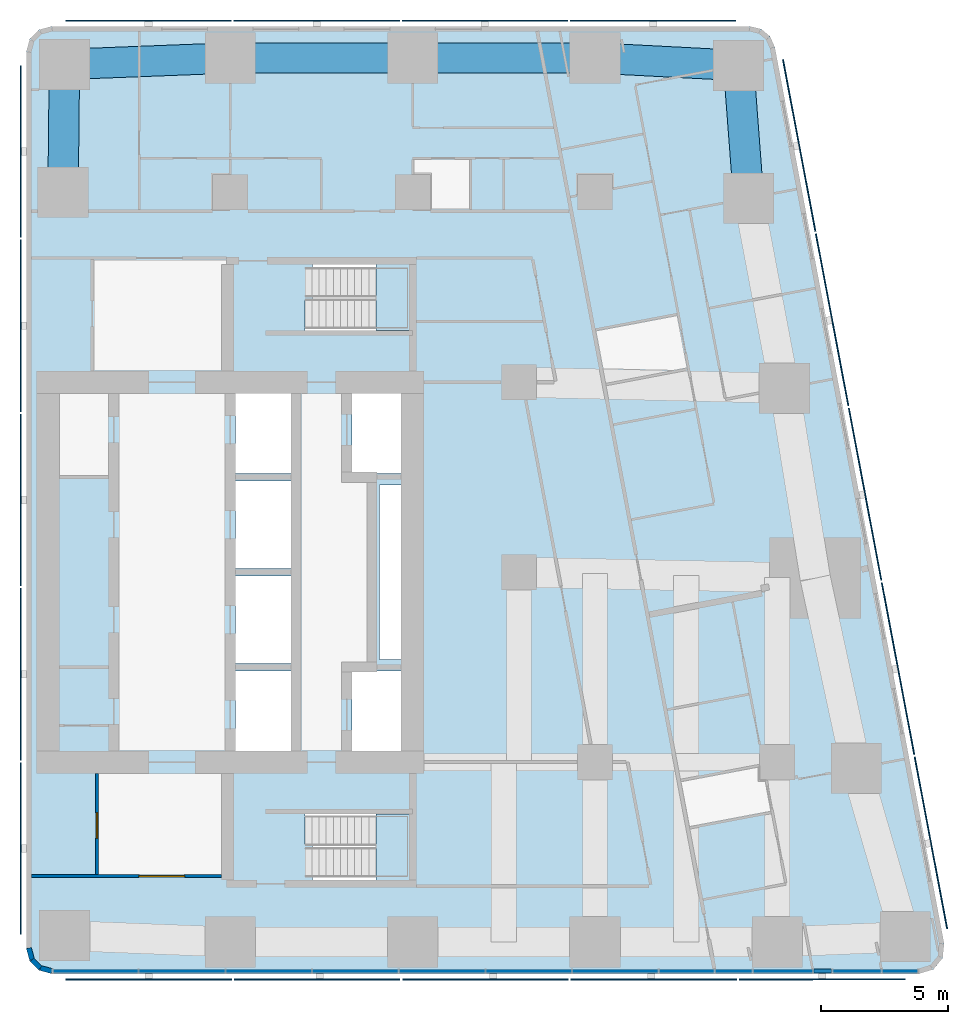
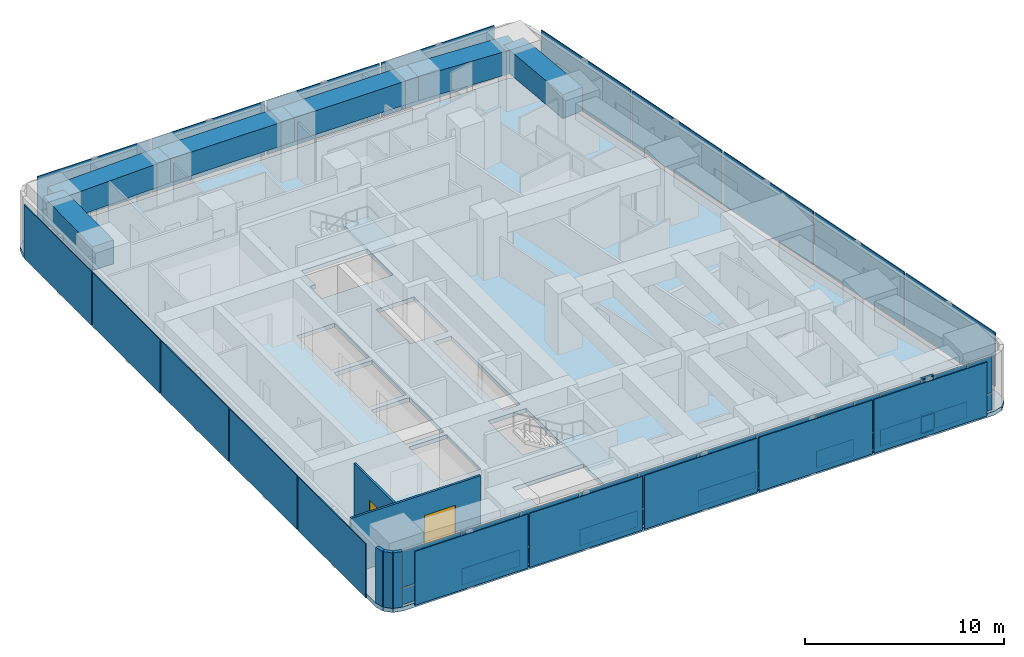
# One storey, part 4 of 10: 45 plates, 6 beams, 5 walls, 3 members, 3 slabs, 2 doors, 2 openings, 3 elements without a shape of their own.
"""IFC4 building model written with IfcOpenShell, lengths in metres."""

import ifcopenshell
import ifcopenshell.guid

model = None  # the IFC model being written
_history = None  # IfcOwnerHistory: only IFC2X3 demands one
_inside = {}  # id of a spatial element -> (the spatial element, [elements in it])
_under = {}  # id of a project, library or spatial element -> (it, [spatial elements below it])
_declared = {}  # id of a project -> (the project, [libraries it declares])
_typed = {}  # id of a type object -> (the type object, [elements of that type])
_made_of = {}  # id of a material, layer set ... -> (it, [elements and type objects made of it])


def new_model(schema):
    """Start an empty IFC model of exactly this schema.

    Asked for "IFC4X3", IfcOpenShell would pick the latest addendum, in which some entities
    have other attributes; the version numbers below select the first issue.
    IFC2X3 requires an IfcOwnerHistory on every rooted entity: one is made here for all.
    """
    global model, _history
    if schema == "IFC4X3":
        model = ifcopenshell.file(schema_version=(4, 3, 0, 0))
    else:
        model = ifcopenshell.file(schema=schema)
    _inside.clear()
    _under.clear()
    _declared.clear()
    _typed.clear()
    _made_of.clear()
    _history = None
    if model.schema == "IFC2X3":
        org = make("IfcOrganization", Name="unknown")
        user = make(
            "IfcPersonAndOrganization",
            ThePerson=make("IfcPerson", FamilyName="unknown"),
            TheOrganization=org,
        )
        app = make(
            "IfcApplication",
            ApplicationDeveloper=org,
            Version="unknown",
            ApplicationFullName="unknown",
            ApplicationIdentifier="unknown",
        )
        _history = make(
            "IfcOwnerHistory",
            OwningUser=user,
            OwningApplication=app,
            ChangeAction="ADDED",
            CreationDate=0,
        )
    return model


def make(cls, **values):
    """One entity of the class cls with the attributes given. An attribute that is None is left unset."""
    return model.create_entity(
        cls, **{name: value for name, value in values.items() if value is not None}
    )


def rooted(cls, **values):
    """An entity with a GlobalId (a new one), such as an element, a storey or a relation."""
    return make(cls, GlobalId=ifcopenshell.guid.new(), OwnerHistory=_history, **values)


def si_unit(unit_type, name, prefix=None):
    """IfcSIUnit, for example si_unit("LENGTHUNIT", "METRE", prefix="MILLI")."""
    return make("IfcSIUnit", UnitType=unit_type, Prefix=prefix, Name=name)


def assignment(units):
    """IfcUnitAssignment: the units of a project."""
    return None if units is None else make("IfcUnitAssignment", Units=units)


def point(xyz):
    """IfcCartesianPoint."""
    return None if xyz is None else make("IfcCartesianPoint", Coordinates=xyz)


def direction(xyz):
    """IfcDirection."""
    return None if xyz is None else make("IfcDirection", DirectionRatios=xyz)


def frame(location, z_axis=None, x_axis=None):
    """IfcAxis2Placement3D, a coordinate frame: its origin and axes. An axis left out is left unset."""
    return make(
        "IfcAxis2Placement3D",
        Location=point(location),
        Axis=direction(z_axis),
        RefDirection=direction(x_axis),
    )


def frame_2d(location, x_axis=None):
    """IfcAxis2Placement2D, a coordinate frame in the plane: its origin and x axis."""
    return make(
        "IfcAxis2Placement2D", Location=point(location), RefDirection=direction(x_axis)
    )


def origin():
    """The frame at (0, 0, 0) with its axes left unset."""
    return frame((0.0, 0.0, 0.0))


def origin_2d():
    """The frame at (0, 0) in the plane with its x axis left unset."""
    return frame_2d((0.0, 0.0))


def place(relative_to, where):
    """IfcLocalPlacement: puts the frame where relative to a parent placement (None: the world)."""
    return make(
        "IfcLocalPlacement", PlacementRelTo=relative_to, RelativePlacement=where
    )


def context(
    kind, dimensions, precision=None, world=None, true_north=None, identifier=None
):
    """IfcGeometricRepresentationContext, for example the 3D "Model" context."""
    return make(
        "IfcGeometricRepresentationContext",
        ContextIdentifier=identifier,
        ContextType=kind,
        CoordinateSpaceDimension=dimensions,
        Precision=precision,
        WorldCoordinateSystem=world,
        TrueNorth=true_north,
    )


def subcontext(parent, identifier, kind, view, scale=None):
    """IfcGeometricRepresentationSubContext, for example "Body" below "Model"."""
    return make(
        "IfcGeometricRepresentationSubContext",
        ContextIdentifier=identifier,
        ContextType=kind,
        ParentContext=parent,
        TargetScale=scale,
        TargetView=view,
    )


def project(units=None, contexts=None):
    """IfcProject with its units and contexts."""
    return rooted(
        "IfcProject",
        Name="project",
        RepresentationContexts=contexts,
        UnitsInContext=assignment(units),
    )


def spatial(cls, under=None, at=None, **own):
    """A site, building, storey or space (cls), placed at a placement, below another one or the project."""
    s = rooted(cls, ObjectPlacement=at, **own)
    if under is not None:
        _under.setdefault(under.id(), (under, []))[1].append(s)
    return s


def polyline(points):
    """IfcPolyline through the points."""
    return make("IfcPolyline", Points=[point(p) for p in points])


def profile(cls, at=None, kind="AREA", **sizes):
    """A parametric profile (cls). Its sizes go by their IFC names, for example OverallWidth=200.0."""
    return make(cls, ProfileType=kind, Position=at, **sizes)


def rectangle(**sizes):
    """IfcRectangleProfileDef."""
    return profile("IfcRectangleProfileDef", **sizes)


def outline(outer, holes=None, kind="AREA"):
    """IfcArbitraryClosedProfileDef: a profile drawn as a closed curve; with holes, ...WithVoids."""
    if holes is None:
        return make("IfcArbitraryClosedProfileDef", ProfileType=kind, OuterCurve=outer)
    return make(
        "IfcArbitraryProfileDefWithVoids",
        ProfileType=kind,
        OuterCurve=outer,
        InnerCurves=holes,
    )


def extrude(swept, where, along, depth):
    """IfcExtrudedAreaSolid: the profile swept, set in the frame where, extruded along a direction by depth."""
    return make(
        "IfcExtrudedAreaSolid",
        SweptArea=swept,
        Position=where,
        ExtrudedDirection=direction(along),
        Depth=depth,
    )


def shape(context_of_items, identifier, shape_type, items):
    """IfcShapeRepresentation: the items that make up one representation, for example the "Body"."""
    return make(
        "IfcShapeRepresentation",
        ContextOfItems=context_of_items,
        RepresentationIdentifier=identifier,
        RepresentationType=shape_type,
        Items=items,
    )


def material(Name=None, Category=None):
    """IfcMaterial."""
    return make("IfcMaterial", Name=Name, Category=Category)


def layer(
    of_material, thickness, ventilated=None, Name=None, Category=None, Priority=None
):
    """IfcMaterialLayer: one layer of a wall or slab, of a material (None: an air gap)."""
    return make(
        "IfcMaterialLayer",
        Material=of_material,
        LayerThickness=thickness,
        IsVentilated=ventilated,
        Name=Name,
        Category=Category,
        Priority=Priority,
    )


def layer_set(layers, Name=None):
    """IfcMaterialLayerSet."""
    return make("IfcMaterialLayerSet", MaterialLayers=layers, LayerSetName=Name)


def material_profile(
    of_material, cross_section, Name=None, Category=None, Priority=None
):
    """IfcMaterialProfile: a cross section and its material."""
    return make(
        "IfcMaterialProfile",
        Name=Name,
        Material=of_material,
        Profile=cross_section,
        Priority=Priority,
        Category=Category,
    )


def profile_set(profiles, Name=None, composite=None):
    """IfcMaterialProfileSet."""
    return make(
        "IfcMaterialProfileSet",
        Name=Name,
        MaterialProfiles=profiles,
        CompositeProfile=composite,
    )


def made_of(thing, what):
    """Note that an element or type object is made of a material, layer set ...; save() writes the relation."""
    if what is not None:
        _made_of.setdefault(what.id(), (what, []))[1].append(thing)
    return thing


def type_object(cls, material=None, **own):
    """A type object (cls), such as IfcWallType, which elements share."""
    return made_of(rooted(cls, **own), material)


def element(
    cls,
    number,
    at=None,
    inside=None,
    cuts=None,
    type_object=None,
    material=None,
    context=None,
    identifier="Body",
    shape_type=None,
    held_by="IfcProductDefinitionShape",
    body=None,
    shapes=None,
    **own,
):
    """One element of the class cls, such as IfcWall. Its Tag is "e" and its number.

    at: its placement. inside: the storey or other place that contains it. cuts: it is an
    opening in that element (IfcRelVoidsElement). A single representation is given by context,
    identifier, shape_type and body (its items); several are given by shapes. held_by: the class
    of the entity that holds the representations. save() writes the other relations.
    """
    e = rooted(cls, Tag="e%d" % number, ObjectPlacement=at, **own)
    if body is not None:
        shapes = [shape(context, identifier, shape_type, body)]
    if shapes is not None:
        e.Representation = make(held_by, Representations=shapes)
    if inside is not None:
        _inside.setdefault(inside.id(), (inside, []))[1].append(e)
    if cuts is not None:
        rooted(
            "IfcRelVoidsElement", RelatingBuildingElement=cuts, RelatedOpeningElement=e
        )
    if type_object is not None:
        _typed.setdefault(type_object.id(), (type_object, []))[1].append(e)
    return made_of(e, material)


def fill(opening, filler):
    """IfcRelFillsElement: the door or window that sits in an opening."""
    return rooted(
        "IfcRelFillsElement",
        RelatingOpeningElement=opening,
        RelatedBuildingElement=filler,
    )


def aggregate(whole, parts):
    """IfcRelAggregates: a whole, such as a stair, and the parts it consists of."""
    return rooted("IfcRelAggregates", RelatingObject=whole, RelatedObjects=parts)


def save(model, path):
    """Write the relations noted so far, then the file.

    IfcRelAggregates (storeys below a building ...), IfcRelContainedInSpatialStructure (elements
    in a storey), IfcRelDefinesByType, IfcRelAssociatesMaterial and IfcRelDeclares: one each for
    every whole, place, type object, material and project.
    """
    for whole, parts in _under.values():
        aggregate(whole, parts)
    for where, things in _inside.values():
        rooted(
            "IfcRelContainedInSpatialStructure",
            RelatedElements=things,
            RelatingStructure=where,
        )
    for kind, things in _typed.values():
        rooted("IfcRelDefinesByType", RelatedObjects=things, RelatingType=kind)
    for what, things in _made_of.values():
        rooted("IfcRelAssociatesMaterial", RelatedObjects=things, RelatingMaterial=what)
    for by, libraries in _declared.values():
        rooted("IfcRelDeclares", RelatingContext=by, RelatedDefinitions=libraries)
    model.write(path)


model = new_model("IFC4")

# Units and contexts
model_context = context("Model", 3, precision=1e-05, world=origin(), true_north=direction((0.0, 1.0)))
body_context = subcontext(model_context, "Body", "Model", "MODEL_VIEW")
ifc_project = project(units=[si_unit("LENGTHUNIT", "METRE"), si_unit("AREAUNIT", "SQUARE_METRE"), si_unit("VOLUMEUNIT", "CUBIC_METRE"), si_unit("PLANEANGLEUNIT", "RADIAN"), si_unit("MASSUNIT", "GRAM", prefix="KILO")], contexts=[model_context])

# Site, building, storey
site_placement = place(None, origin())
site = spatial("IfcSite", under=ifc_project, at=site_placement, CompositionType="ELEMENT")
building_placement = place(site_placement, origin())
building = spatial("IfcBuilding", under=site, at=building_placement, Name="Sheger Commons Tower", CompositionType="ELEMENT")
storey_placement = place(building_placement, frame((0.0, 0.0, 292.85009765625)))
storey = spatial("IfcBuildingStorey", under=building, at=storey_placement, Name="L75", CompositionType="ELEMENT", Elevation=292.85009765625)

# Beams
ifc_material_1 = material(Name="Concrete C50/60", Category="concrete")
ifc_material_profile_1 = material_profile(ifc_material_1, rectangle(XDim=1.199951171875, YDim=1.449951171875, at=origin_2d()), Name="RC 1200x1450")
ifc_profile_set_1 = profile_set([ifc_material_profile_1], Name="Concrete C50/60")
beam_type = type_object("IfcBeamType", Name="SPANDREL RC 1200x1450", PredefinedType="SPANDREL", material=ifc_profile_set_1)
beam_1_placement = place(storey_placement, frame((42.06396484375, 37.262939453125, 2.6748046875), z_axis=(-0.075496345854, 0.997146078447, 0.0), x_axis=(-0.997146078447, -0.075496345854, 0.0)))
element("IfcBeam", 1, at=beam_1_placement, inside=storey, type_object=beam_type, Name="Beam E/F-E/G-1.8 under L76", PredefinedType="SPANDREL", context=body_context, shape_type="SweptSolid", body=[
    extrude(rectangle(XDim=1.199951171875, YDim=1.449951171875, at=origin_2d()), origin(), (0.0, 0.0, 1.0), 5.258056640625),
])
beam_2_placement = place(storey_placement, frame((41.6669921875, 42.506103515625, 2.6748046875), z_axis=(-0.998657474351, 0.051800086124, 0.0), x_axis=(-0.051800086124, -0.998657474351, 0.0)))
element("IfcBeam", 2, at=beam_2_placement, inside=storey, type_object=beam_type, Name="Beam E/G-1.8-6/G-1.8 under L76", PredefinedType="SPANDREL", context=body_context, shape_type="SweptSolid", body=[
    extrude(rectangle(XDim=1.199951171875, YDim=1.449951171875, at=origin_2d()), origin(), (0.0, 0.0, 1.0), 5.674560546875),
])
for number, where, z_axis, x_axis, name in (
    (3, (36.0, 42.800048828125, 2.6748046875), (-1.0, 0.0, 0.0), (0.0, -1.0, 0.0), "Beam 6/G-1.8-5/G-1.8 under L76"),
    (4, (28.800048828125, 42.800048828125, 2.6748046875), (-1.0, 0.0, 0.0), (0.0, -1.0, 0.0), "Beam 5/G-1.8-4/G-1.8 under L76"),
):
    element("IfcBeam", number, at=place(storey_placement, frame(where, z_axis=z_axis, x_axis=x_axis)), inside=storey, type_object=beam_type, Name=name, PredefinedType="SPANDREL", context=body_context, shape_type="SweptSolid", body=[
        extrude(rectangle(XDim=1.199951171875, YDim=1.449951171875, at=origin_2d()), origin(), (0.0, 0.0, 1.0), 7.199951171875),
    ])
beam_3_placement = place(storey_placement, frame((21.60009765625, 42.800048828125, 2.6748046875), z_axis=(-0.999247181966, -0.038795223079, 0.0), x_axis=(0.038795223079, -0.999247181966, 0.0)))
element("IfcBeam", 5, at=beam_3_placement, inside=storey, type_object=beam_type, Name="Beam 4/G-1.8-3/G-1.8 under L76", PredefinedType="SPANDREL", context=body_context, shape_type="SweptSolid", body=[
    extrude(rectangle(XDim=1.199951171875, YDim=1.449951171875, at=origin_2d()), origin(), (0.0, 0.0, 1.0), 6.551025390625),
])
beam_4_placement = place(storey_placement, frame((15.053955078125, 42.5458984375, 2.6748046875), z_axis=(-0.010692247282, -0.99994283629, 0.0), x_axis=(0.99994283629, -0.010692247282, 0.0)))
element("IfcBeam", 6, at=beam_4_placement, inside=storey, type_object=beam_type, Name="Beam 3/G-1.8-3/F under L76", PredefinedType="SPANDREL", context=body_context, shape_type="SweptSolid", body=[
    extrude(rectangle(XDim=1.199951171875, YDim=1.449951171875, at=origin_2d()), origin(), (0.0, 0.0, 1.0), 5.046142578125),
])

# Curtain wall, members, plates
ifc_material_2 = material(Name="Black aluminium curtain wall, dark tinted glazing", Category="aluminium")
curtain_wall_type = type_object("IfcCurtainWallType", Name="CURTAIN WALL CW5 SOUTH GALLERY", PredefinedType="USERDEFINED", material=ifc_material_2)
curtain_wall_placement = place(storey_placement, origin())
curtain_wall = element("IfcCurtainWall", 7, at=curtain_wall_placement, inside=storey, type_object=curtain_wall_type, Name="Curtain Wall Cw5 South Gallery S1 L75", ObjectType="UNITISED CURTAIN WALL", PredefinedType="USERDEFINED")
ifc_material_3 = material(Name="Black anodised aluminium", Category="aluminium")
ifc_material_profile_2 = material_profile(ifc_material_3, rectangle(XDim=0.14990234375, YDim=0.06494140625, at=origin_2d()), Name="AL 65x150")
ifc_profile_set_2 = profile_set([ifc_material_profile_2], Name="Black anodised aluminium")
member_type = type_object("IfcMemberType", Name="TRANSOM AL 65x150", PredefinedType="USERDEFINED", material=ifc_profile_set_2)
member_1_placement = place(storey_placement, frame((44.638427734375, 6.75, 0.032470703125), z_axis=(1.0, 0.0, 0.0), x_axis=(0.0, 1.0, 0.0)))
member_1 = element("IfcMember", 8, at=member_1_placement, type_object=member_type, Name="CW5 transom 11.1", ObjectType="TRANSOM", PredefinedType="USERDEFINED", context=body_context, shape_type="SweptSolid", body=[
    extrude(rectangle(XDim=0.14990234375, YDim=0.06494140625, at=origin_2d()), origin(), (0.0, 0.0, 1.0), 0.694091796875),
])
member_2_placement = place(storey_placement, frame((44.638427734375, 6.75, 1.099853515625), z_axis=(1.0, 0.0, 0.0), x_axis=(0.0, 1.0, 0.0)))
member_2 = element("IfcMember", 9, at=member_2_placement, type_object=member_type, Name="CW5 transom 11.2", ObjectType="TRANSOM", PredefinedType="USERDEFINED", context=body_context, shape_type="SweptSolid", body=[
    extrude(rectangle(XDim=0.14990234375, YDim=0.06494140625, at=origin_2d()), origin(), (0.0, 0.0, 1.0), 0.694091796875),
])
member_3_placement = place(storey_placement, frame((44.638427734375, 6.75, 3.367431640625), z_axis=(1.0, 0.0, 0.0), x_axis=(0.0, 1.0, 0.0)))
member_3 = element("IfcMember", 10, at=member_3_placement, type_object=member_type, Name="CW5 transom 11.3", ObjectType="TRANSOM", PredefinedType="USERDEFINED", context=body_context, shape_type="SweptSolid", body=[
    extrude(rectangle(XDim=0.14990234375, YDim=0.06494140625, at=origin_2d()), origin(), (0.0, 0.0, 1.0), 0.694091796875),
])
ifc_material_4 = material(Name="Dark tinted double glazing", Category="glass")
ifc_layer_1 = layer(ifc_material_4, 0.031982421875)
ifc_layer_set_1 = layer_set([ifc_layer_1], Name="GLAZED PANEL 32")
plate_type_1 = type_object("IfcPlateType", Name="GLAZED PANEL 32", PredefinedType="CURTAIN_PANEL", material=ifc_layer_set_1)
plate_1_placement = place(storey_placement, frame((16.290283203125, 6.75, 0.06494140625), z_axis=(0.0, 0.0, 1.0), x_axis=(1.0, 0.0, 0.0)))
plate_1 = element("IfcPlate", 11, at=plate_1_placement, type_object=plate_type_1, Name="CW5 panel 1.1", PredefinedType="CURTAIN_PANEL", context=body_context, shape_type="SweptSolid", body=[
    extrude(rectangle(XDim=3.324462890625, YDim=0.031982421875, at=origin_2d()), origin(), (0.0, 0.0, 1.0), 1.00244140625),
])
plate_2_placement = place(storey_placement, frame((16.290283203125, 6.75, 1.13232421875), z_axis=(0.0, 0.0, 1.0), x_axis=(1.0, 0.0, 0.0)))
plate_2 = element("IfcPlate", 12, at=plate_2_placement, type_object=plate_type_1, Name="CW5 panel 1.2", PredefinedType="CURTAIN_PANEL", context=body_context, shape_type="SweptSolid", body=[
    extrude(rectangle(XDim=3.324462890625, YDim=0.031982421875, at=origin_2d()), origin(), (0.0, 0.0, 1.0), 2.202392578125),
])
plate_3_placement = place(storey_placement, frame((19.696533203125, 6.75, 0.06494140625), z_axis=(0.0, 0.0, 1.0), x_axis=(1.0, 0.0, 0.0)))
plate_3 = element("IfcPlate", 13, at=plate_3_placement, type_object=plate_type_1, Name="CW5 panel 2.1", PredefinedType="CURTAIN_PANEL", context=body_context, shape_type="SweptSolid", body=[
    extrude(rectangle(XDim=3.35791015625, YDim=0.031982421875, at=origin_2d()), origin(), (0.0, 0.0, 1.0), 1.00244140625),
])
plate_4_placement = place(storey_placement, frame((19.696533203125, 6.75, 1.13232421875), z_axis=(0.0, 0.0, 1.0), x_axis=(1.0, 0.0, 0.0)))
plate_4 = element("IfcPlate", 14, at=plate_4_placement, type_object=plate_type_1, Name="CW5 panel 2.2", PredefinedType="CURTAIN_PANEL", context=body_context, shape_type="SweptSolid", body=[
    extrude(rectangle(XDim=3.35791015625, YDim=0.031982421875, at=origin_2d()), origin(), (0.0, 0.0, 1.0), 2.202392578125),
])
plate_5_placement = place(storey_placement, frame((23.118896484375, 6.75, 0.06494140625), z_axis=(0.0, 0.0, 1.0), x_axis=(1.0, 0.0, 0.0)))
plate_5 = element("IfcPlate", 15, at=plate_5_placement, type_object=plate_type_1, Name="CW5 panel 3.1", PredefinedType="CURTAIN_PANEL", context=body_context, shape_type="SweptSolid", body=[
    extrude(rectangle(XDim=3.35693359375, YDim=0.031982421875, at=origin_2d()), origin(), (0.0, 0.0, 1.0), 1.00244140625),
])
plate_6_placement = place(storey_placement, frame((23.118896484375, 6.75, 1.13232421875), z_axis=(0.0, 0.0, 1.0), x_axis=(1.0, 0.0, 0.0)))
plate_6 = element("IfcPlate", 16, at=plate_6_placement, type_object=plate_type_1, Name="CW5 panel 3.2", PredefinedType="CURTAIN_PANEL", context=body_context, shape_type="SweptSolid", body=[
    extrude(rectangle(XDim=3.35693359375, YDim=0.031982421875, at=origin_2d()), origin(), (0.0, 0.0, 1.0), 2.202392578125),
])
plate_7_placement = place(storey_placement, frame((26.54150390625, 6.75, 0.06494140625), z_axis=(0.0, 0.0, 1.0), x_axis=(1.0, 0.0, 0.0)))
plate_7 = element("IfcPlate", 17, at=plate_7_placement, type_object=plate_type_1, Name="CW5 panel 4.1", PredefinedType="CURTAIN_PANEL", context=body_context, shape_type="SweptSolid", body=[
    extrude(rectangle(XDim=3.35791015625, YDim=0.031982421875, at=origin_2d()), origin(), (0.0, 0.0, 1.0), 1.00244140625),
])
plate_8_placement = place(storey_placement, frame((26.54150390625, 6.75, 1.13232421875), z_axis=(0.0, 0.0, 1.0), x_axis=(1.0, 0.0, 0.0)))
plate_8 = element("IfcPlate", 18, at=plate_8_placement, type_object=plate_type_1, Name="CW5 panel 4.2", PredefinedType="CURTAIN_PANEL", context=body_context, shape_type="SweptSolid", body=[
    extrude(rectangle(XDim=3.35791015625, YDim=0.031982421875, at=origin_2d()), origin(), (0.0, 0.0, 1.0), 2.202392578125),
])
plate_9_placement = place(storey_placement, frame((29.964111328125, 6.75, 0.06494140625), z_axis=(0.0, 0.0, 1.0), x_axis=(1.0, 0.0, 0.0)))
plate_9 = element("IfcPlate", 19, at=plate_9_placement, type_object=plate_type_1, Name="CW5 panel 5.1", PredefinedType="CURTAIN_PANEL", context=body_context, shape_type="SweptSolid", body=[
    extrude(rectangle(XDim=3.35693359375, YDim=0.031982421875, at=origin_2d()), origin(), (0.0, 0.0, 1.0), 1.00244140625),
])
plate_10_placement = place(storey_placement, frame((29.964111328125, 6.75, 1.13232421875), z_axis=(0.0, 0.0, 1.0), x_axis=(1.0, 0.0, 0.0)))
plate_10 = element("IfcPlate", 20, at=plate_10_placement, type_object=plate_type_1, Name="CW5 panel 5.2", PredefinedType="CURTAIN_PANEL", context=body_context, shape_type="SweptSolid", body=[
    extrude(rectangle(XDim=3.35693359375, YDim=0.031982421875, at=origin_2d()), origin(), (0.0, 0.0, 1.0), 2.202392578125),
])
plate_11_placement = place(storey_placement, frame((33.385986328125, 6.75, 0.06494140625), z_axis=(0.0, 0.0, 1.0), x_axis=(1.0, 0.0, 0.0)))
plate_11 = element("IfcPlate", 21, at=plate_11_placement, type_object=plate_type_1, Name="CW5 panel 6.1", PredefinedType="CURTAIN_PANEL", context=body_context, shape_type="SweptSolid", body=[
    extrude(rectangle(XDim=3.35693359375, YDim=0.031982421875, at=origin_2d()), origin(), (0.0, 0.0, 1.0), 1.00244140625),
])
plate_12_placement = place(storey_placement, frame((33.385986328125, 6.75, 1.13232421875), z_axis=(0.0, 0.0, 1.0), x_axis=(1.0, 0.0, 0.0)))
plate_12 = element("IfcPlate", 22, at=plate_12_placement, type_object=plate_type_1, Name="CW5 panel 6.2", PredefinedType="CURTAIN_PANEL", context=body_context, shape_type="SweptSolid", body=[
    extrude(rectangle(XDim=3.35693359375, YDim=0.031982421875, at=origin_2d()), origin(), (0.0, 0.0, 1.0), 2.202392578125),
])
plate_13_placement = place(storey_placement, frame((36.80859375, 6.75, 0.06494140625), z_axis=(0.0, 0.0, 1.0), x_axis=(1.0, 0.0, 0.0)))
plate_13 = element("IfcPlate", 23, at=plate_13_placement, type_object=plate_type_1, Name="CW5 panel 7.1", PredefinedType="CURTAIN_PANEL", context=body_context, shape_type="SweptSolid", body=[
    extrude(rectangle(XDim=3.35791015625, YDim=0.031982421875, at=origin_2d()), origin(), (0.0, 0.0, 1.0), 1.00244140625),
])
plate_14_placement = place(storey_placement, frame((36.80859375, 6.75, 1.13232421875), z_axis=(0.0, 0.0, 1.0), x_axis=(1.0, 0.0, 0.0)))
plate_14 = element("IfcPlate", 24, at=plate_14_placement, type_object=plate_type_1, Name="CW5 panel 7.2", PredefinedType="CURTAIN_PANEL", context=body_context, shape_type="SweptSolid", body=[
    extrude(rectangle(XDim=3.35791015625, YDim=0.031982421875, at=origin_2d()), origin(), (0.0, 0.0, 1.0), 2.202392578125),
])
plate_15_placement = place(storey_placement, frame((39.62451171875, 6.75, 0.06494140625), z_axis=(0.0, 0.0, 1.0), x_axis=(1.0, 0.0, 0.0)))
plate_15 = element("IfcPlate", 25, at=plate_15_placement, type_object=plate_type_1, Name="CW5 panel 8.1", PredefinedType="CURTAIN_PANEL", context=body_context, shape_type="SweptSolid", body=[
    extrude(rectangle(XDim=2.14404296875, YDim=0.031982421875, at=origin_2d()), origin(), (0.0, 0.0, 1.0), 1.00244140625),
])
plate_16_placement = place(storey_placement, frame((39.62451171875, 6.75, 1.13232421875), z_axis=(0.0, 0.0, 1.0), x_axis=(1.0, 0.0, 0.0)))
plate_16 = element("IfcPlate", 26, at=plate_16_placement, type_object=plate_type_1, Name="CW5 panel 8.2", PredefinedType="CURTAIN_PANEL", context=body_context, shape_type="SweptSolid", body=[
    extrude(rectangle(XDim=2.14404296875, YDim=0.031982421875, at=origin_2d()), origin(), (0.0, 0.0, 1.0), 2.202392578125),
])
plate_17_placement = place(storey_placement, frame((41.478515625, 6.75, 0.06494140625), z_axis=(0.0, 0.0, 1.0), x_axis=(1.0, 0.0, 0.0)))
plate_17 = element("IfcPlate", 27, at=plate_17_placement, type_object=plate_type_1, Name="CW5 panel 9.1", PredefinedType="CURTAIN_PANEL", context=body_context, shape_type="SweptSolid", body=[
    extrude(rectangle(XDim=1.43408203125, YDim=0.031982421875, at=origin_2d()), origin(), (0.0, 0.0, 1.0), 1.00244140625),
])
plate_18_placement = place(storey_placement, frame((41.478515625, 6.75, 1.13232421875), z_axis=(0.0, 0.0, 1.0), x_axis=(1.0, 0.0, 0.0)))
plate_18 = element("IfcPlate", 28, at=plate_18_placement, type_object=plate_type_1, Name="CW5 panel 9.2", PredefinedType="CURTAIN_PANEL", context=body_context, shape_type="SweptSolid", body=[
    extrude(rectangle(XDim=1.43408203125, YDim=0.031982421875, at=origin_2d()), origin(), (0.0, 0.0, 1.0), 2.202392578125),
])
plate_19_placement = place(storey_placement, frame((43.4169921875, 6.75, 0.06494140625), z_axis=(0.0, 0.0, 1.0), x_axis=(1.0, 0.0, 0.0)))
plate_19 = element("IfcPlate", 29, at=plate_19_placement, type_object=plate_type_1, Name="CW5 panel 10.1", PredefinedType="CURTAIN_PANEL", context=body_context, shape_type="SweptSolid", body=[
    extrude(rectangle(XDim=2.31298828125, YDim=0.031982421875, at=origin_2d()), origin(), (0.0, 0.0, 1.0), 1.00244140625),
])
plate_20_placement = place(storey_placement, frame((43.4169921875, 6.75, 1.13232421875), z_axis=(0.0, 0.0, 1.0), x_axis=(1.0, 0.0, 0.0)))
plate_20 = element("IfcPlate", 30, at=plate_20_placement, type_object=plate_type_1, Name="CW5 panel 10.2", PredefinedType="CURTAIN_PANEL", context=body_context, shape_type="SweptSolid", body=[
    extrude(rectangle(XDim=2.31298828125, YDim=0.031982421875, at=origin_2d()), origin(), (0.0, 0.0, 1.0), 2.202392578125),
])
plate_21_placement = place(storey_placement, frame((44.985595703125, 6.75, 0.06494140625), z_axis=(0.0, 0.0, 1.0), x_axis=(1.0, 0.0, 0.0)))
plate_21 = element("IfcPlate", 31, at=plate_21_placement, type_object=plate_type_1, Name="CW5 panel 11.1", PredefinedType="CURTAIN_PANEL", context=body_context, shape_type="SweptSolid", body=[
    extrude(rectangle(XDim=0.694091796875, YDim=0.031982421875, at=origin_2d()), origin(), (0.0, 0.0, 1.0), 1.00244140625),
])
plate_22_placement = place(storey_placement, frame((44.985595703125, 6.75, 1.13232421875), z_axis=(0.0, 0.0, 1.0), x_axis=(1.0, 0.0, 0.0)))
plate_22 = element("IfcPlate", 32, at=plate_22_placement, type_object=plate_type_1, Name="CW5 panel 11.2", PredefinedType="CURTAIN_PANEL", context=body_context, shape_type="SweptSolid", body=[
    extrude(rectangle(XDim=0.694091796875, YDim=0.031982421875, at=origin_2d()), origin(), (0.0, 0.0, 1.0), 2.202392578125),
])
plate_23_placement = place(storey_placement, frame((46.342041015625, 6.75, 0.06494140625), z_axis=(0.0, 0.0, 1.0), x_axis=(1.0, 0.0, 0.0)))
plate_23 = element("IfcPlate", 33, at=plate_23_placement, type_object=plate_type_1, Name="CW5 panel 12.1", PredefinedType="CURTAIN_PANEL", context=body_context, shape_type="SweptSolid", body=[
    extrude(rectangle(XDim=1.888916015625, YDim=0.031982421875, at=origin_2d()), origin(), (0.0, 0.0, 1.0), 1.00244140625),
])
plate_24_placement = place(storey_placement, frame((46.342041015625, 6.75, 1.13232421875), z_axis=(0.0, 0.0, 1.0), x_axis=(1.0, 0.0, 0.0)))
plate_24 = element("IfcPlate", 34, at=plate_24_placement, type_object=plate_type_1, Name="CW5 panel 12.2", PredefinedType="CURTAIN_PANEL", context=body_context, shape_type="SweptSolid", body=[
    extrude(rectangle(XDim=1.888916015625, YDim=0.031982421875, at=origin_2d()), origin(), (0.0, 0.0, 1.0), 2.202392578125),
])
plate_25_placement = place(storey_placement, frame((48.036865234375, 6.75, 0.06494140625), z_axis=(0.0, 0.0, 1.0), x_axis=(1.0, 0.0, 0.0)))
plate_25 = element("IfcPlate", 35, at=plate_25_placement, type_object=plate_type_1, Name="CW5 panel 13.1", PredefinedType="CURTAIN_PANEL", context=body_context, shape_type="SweptSolid", body=[
    extrude(rectangle(XDim=1.37060546875, YDim=0.031982421875, at=origin_2d()), origin(), (0.0, 0.0, 1.0), 1.00244140625),
])
plate_26_placement = place(storey_placement, frame((48.036865234375, 6.75, 1.13232421875), z_axis=(0.0, 0.0, 1.0), x_axis=(1.0, 0.0, 0.0)))
plate_26 = element("IfcPlate", 36, at=plate_26_placement, type_object=plate_type_1, Name="CW5 panel 13.2", PredefinedType="CURTAIN_PANEL", context=body_context, shape_type="SweptSolid", body=[
    extrude(rectangle(XDim=1.37060546875, YDim=0.031982421875, at=origin_2d()), origin(), (0.0, 0.0, 1.0), 2.202392578125),
])
aggregate(curtain_wall, [plate_1, plate_2, plate_3, plate_4, plate_5, plate_6, plate_7, plate_8, plate_9, plate_10, plate_11, plate_12, plate_13, plate_14, plate_15, plate_16, plate_17, plate_18, plate_19, plate_20, member_1, member_2, member_3, plate_21, plate_22, plate_23, plate_24, plate_25, plate_26])

# Slab
ifc_material_5 = material(Name="Concrete C35/45", Category="concrete")
ifc_layer_2 = layer(ifc_material_5, 0.25)
ifc_layer_set_2 = layer_set([ifc_layer_2], Name="SLAB FLOOR 250")
slab_type_1 = type_object("IfcSlabType", Name="SLAB FLOOR 250", PredefinedType="FLOOR", material=ifc_layer_set_2)
slab_1_placement = place(storey_placement, frame((0.0, 0.0, -0.25)))
element("IfcSlab", 37, at=slab_1_placement, inside=storey, type_object=slab_type_1, Name="L75 floor slab", PredefinedType="FLOOR", context=body_context, shape_type="SweptSolid", body=[
    extrude(outline(polyline([(13.550048828125, 7.64990234375), (13.68408203125, 7.14990234375), (14.050048828125, 6.783935546875), (14.550048828125, 6.64990234375), (48.802001953125, 6.64990234375), (49.35498046875, 6.81689453125), (49.72412109375, 7.260986328125), (49.784912109375, 7.8359375), (43.097900390625, 43.236083984375), (42.912109375, 43.654052734375), (42.56005859375, 43.945068359375), (42.114990234375, 44.050048828125), (14.550048828125, 44.050048828125), (14.050048828125, 43.916015625), (13.68408203125, 43.550048828125), (13.550048828125, 43.050048828125), (13.550048828125, 7.64990234375)]), holes=[polyline([(24.85009765625, 10.35009765625), (28.64990234375, 10.35009765625), (28.64990234375, 12.949951171875), (24.551025390625, 12.949951171875), (24.551025390625, 11.75), (24.85009765625, 11.75), (24.85009765625, 10.35009765625)]), polyline([(24.551025390625, 32.050048828125), (28.64990234375, 32.050048828125), (28.64990234375, 34.64990234375), (24.85009765625, 34.64990234375), (24.85009765625, 33.25), (24.551025390625, 33.25), (24.551025390625, 32.050048828125)]), polyline([(26.39990234375, 15.14990234375), (28.60009765625, 15.14990234375), (28.60009765625, 18.60009765625), (26.39990234375, 18.60009765625), (26.39990234375, 15.14990234375)]), polyline([(26.39990234375, 26.39990234375), (28.60009765625, 26.39990234375), (28.60009765625, 29.85009765625), (26.39990234375, 29.85009765625), (26.39990234375, 26.39990234375)]), polyline([(21.800048828125, 15.14990234375), (24.0, 15.14990234375), (24.0, 18.60009765625), (21.800048828125, 18.60009765625), (21.800048828125, 15.14990234375)]), polyline([(21.800048828125, 18.89990234375), (24.0, 18.89990234375), (24.0, 22.35009765625), (21.800048828125, 22.35009765625), (21.800048828125, 18.89990234375)]), polyline([(21.800048828125, 22.64990234375), (24.0, 22.64990234375), (24.0, 26.10009765625), (21.800048828125, 26.10009765625), (21.800048828125, 22.64990234375)]), polyline([(21.800048828125, 26.39990234375), (24.0, 26.39990234375), (24.0, 29.85009765625), (21.800048828125, 29.85009765625), (21.800048828125, 26.39990234375)]), polyline([(27.5, 19.050048828125), (28.5, 19.050048828125), (28.5, 25.949951171875), (27.5, 25.949951171875), (27.5, 19.050048828125)])]), origin(), (0.0, 0.0, 1.0), 0.25),
])

# Plates
ifc_material_6 = material(Name="Perforated black anodised aluminium screen", Category="aluminium")
ifc_layer_3 = layer(ifc_material_6, 0.050048828125)
ifc_layer_set_3 = layer_set([ifc_layer_3], Name="SOLAR SCREEN SCREEN-1")
plate_type_2 = type_object("IfcPlateType", Name="SOLAR SCREEN SCREEN-1", PredefinedType="USERDEFINED", material=ifc_layer_set_3)
for number, where, z_axis, x_axis, name in (
    (38, (18.375, 6.425048828125, 0.0498046875), (0.0, 0.0, 1.0), (1.0, 0.0, 0.0), "Perforated solar screen panel"),
    (39, (25.02587890625, 6.425048828125, 0.0498046875), (0.0, 0.0, 1.0), (1.0, 0.0, 0.0), "Perforated solar screen panel"),
    (40, (31.676025390625, 6.425048828125, 0.0498046875), (0.0, 0.0, 1.0), (1.0, 0.0, 0.0), "Perforated solar screen panel"),
    (41, (38.325927734375, 6.425048828125, 0.0498046875), (0.0, 0.0, 1.0), (1.0, 0.0, 0.0), "Perforated solar screen panel"),
    (42, (44.97705078125, 6.425048828125, 0.0498046875), (0.0, 0.0, 1.0), (1.0, 0.0, 0.0), "Perforated solar screen panel"),
):
    element("IfcPlate", number, at=place(storey_placement, frame(where, z_axis=z_axis, x_axis=x_axis)), inside=storey, type_object=plate_type_2, Name=name, ObjectType="SCREEN", PredefinedType="USERDEFINED", context=body_context, shape_type="SweptSolid", body=[
        extrude(rectangle(XDim=6.550048828125, YDim=0.050048828125, at=origin_2d()), origin(), (0.0, 0.0, 1.0), 3.300048828125),
    ])
for number, where, z_axis, x_axis, name in (
    (43, (49.262939453125, 11.81103515625, 0.0498046875), (0.0, 0.0, 1.0), (-0.185615165645, 0.982622516678, 0.0), "Perforated solar screen panel"),
    (44, (47.962890625, 18.694091796875, 0.0498046875), (0.0, 0.0, 1.0), (-0.185615165645, 0.982622516678, 0.0), "Perforated solar screen panel"),
    (45, (46.6630859375, 25.577880859375, 0.0498046875), (0.0, 0.0, 1.0), (-0.185615165645, 0.982622516678, 0.0), "Perforated solar screen panel"),
    (46, (45.362060546875, 32.4609375, 0.0498046875), (0.0, 0.0, 1.0), (-0.185615165645, 0.982622516678, 0.0), "Perforated solar screen panel"),
    (47, (44.06201171875, 39.344970703125, 0.0498046875), (0.0, 0.0, 1.0), (-0.185615165645, 0.982622516678, 0.0), "Perforated solar screen panel"),
):
    element("IfcPlate", number, at=place(storey_placement, frame(where, z_axis=z_axis, x_axis=x_axis)), inside=storey, type_object=plate_type_2, Name=name, ObjectType="SCREEN", PredefinedType="USERDEFINED", context=body_context, shape_type="SweptSolid", body=[
        extrude(rectangle(XDim=6.905029296875, YDim=0.050048828125, at=origin_2d()), origin(), (0.0, 0.0, 1.0), 3.300048828125),
    ])
for number, where, z_axis, x_axis, name in (
    (48, (38.2939453125, 44.27490234375, 0.0498046875), (0.0, 0.0, 1.0), (-1.0, 0.0, 0.0), "Perforated solar screen panel"),
    (49, (31.653076171875, 44.27490234375, 0.0498046875), (0.0, 0.0, 1.0), (-1.0, 0.0, 0.0), "Perforated solar screen panel"),
    (50, (25.011962890625, 44.27490234375, 0.0498046875), (0.0, 0.0, 1.0), (-1.0, 0.0, 0.0), "Perforated solar screen panel"),
    (51, (18.37109375, 44.27490234375, 0.0498046875), (0.0, 0.0, 1.0), (-1.0, 0.0, 0.0), "Perforated solar screen panel"),
):
    element("IfcPlate", number, at=place(storey_placement, frame(where, z_axis=z_axis, x_axis=x_axis)), inside=storey, type_object=plate_type_2, Name=name, ObjectType="SCREEN", PredefinedType="USERDEFINED", context=body_context, shape_type="SweptSolid", body=[
        extrude(rectangle(XDim=6.541015625, YDim=0.050048828125, at=origin_2d()), origin(), (0.0, 0.0, 1.0), 3.300048828125),
    ])
for number, where, z_axis, x_axis, name in (
    (52, (13.324951171875, 39.110107421875, 0.0498046875), (0.0, 0.0, 1.0), (0.0, -1.0, 0.0), "Perforated solar screen panel"),
    (53, (13.324951171875, 32.22998046875, 0.0498046875), (0.0, 0.0, 1.0), (0.0, -1.0, 0.0), "Perforated solar screen panel"),
    (54, (13.324951171875, 25.35009765625, 0.0498046875), (0.0, 0.0, 1.0), (0.0, -1.0, 0.0), "Perforated solar screen panel"),
    (55, (13.324951171875, 18.469970703125, 0.0498046875), (0.0, 0.0, 1.0), (0.0, -1.0, 0.0), "Perforated solar screen panel"),
    (56, (13.324951171875, 11.590087890625, 0.0498046875), (0.0, 0.0, 1.0), (0.0, -1.0, 0.0), "Perforated solar screen panel"),
):
    element("IfcPlate", number, at=place(storey_placement, frame(where, z_axis=z_axis, x_axis=x_axis)), inside=storey, type_object=plate_type_2, Name=name, ObjectType="SCREEN", PredefinedType="USERDEFINED", context=body_context, shape_type="SweptSolid", body=[
        extrude(rectangle(XDim=6.780029296875, YDim=0.050048828125, at=origin_2d()), origin(), (0.0, 0.0, 1.0), 3.300048828125),
    ])

# Stair, slab
ifc_material_7 = material(Name="Concrete C35/45", Category="concrete")
stair_type = type_object("IfcStairType", Name="HALF-TURN STAIR 1200 RISE 3750", PredefinedType="HALF_TURN_STAIR", material=ifc_material_7)
stair_1_placement = place(storey_placement, origin())
stair_1 = element("IfcStair", 57, at=stair_1_placement, inside=storey, type_object=stair_type, Name="Stair S1 L75", PredefinedType="HALF_TURN_STAIR")
ifc_material_8 = material(Name="Concrete C35/45", Category="concrete")
ifc_layer_4 = layer(ifc_material_8, 0.199951171875)
ifc_layer_set_4 = layer_set([ifc_layer_4], Name="STAIR LANDING 200")
slab_type_2 = type_object("IfcSlabType", Name="STAIR LANDING 200", PredefinedType="LANDING", material=ifc_layer_set_4)
slab_2_placement = place(storey_placement, frame((0.0, 0.0, 1.6748046875)))
slab_2 = element("IfcSlab", 58, at=slab_2_placement, type_object=slab_type_2, Name="S1 landing 1", PredefinedType="LANDING", context=body_context, shape_type="SweptSolid", body=[
    extrude(outline(polyline([(27.35009765625, 10.199951171875), (28.800048828125, 10.199951171875), (28.800048828125, 12.949951171875), (27.35009765625, 12.949951171875), (27.35009765625, 10.199951171875)])), origin(), (0.0, 0.0, 1.0), 0.2001953125),
])
aggregate(stair_1, [slab_2])

stair_2_placement = place(storey_placement, origin())
stair_2 = element("IfcStair", 59, at=stair_2_placement, inside=storey, type_object=stair_type, Name="Stair S2 L75", PredefinedType="HALF_TURN_STAIR")
slab_3_placement = place(storey_placement, frame((0.0, 0.0, 1.6748046875)))
slab_3 = element("IfcSlab", 60, at=slab_3_placement, type_object=slab_type_2, Name="S2 landing 1", PredefinedType="LANDING", context=body_context, shape_type="SweptSolid", body=[
    extrude(outline(polyline([(27.35009765625, 32.050048828125), (28.800048828125, 32.050048828125), (28.800048828125, 34.800048828125), (27.35009765625, 34.800048828125), (27.35009765625, 32.050048828125)])), origin(), (0.0, 0.0, 1.0), 0.2001953125),
])
aggregate(stair_2, [slab_3])

# Walls
ifc_material_9 = material(Name="Rendered concrete block masonry, dark grey", Category="masonry")
ifc_layer_5 = layer(ifc_material_9, 0.199951171875)
ifc_layer_set_5 = layer_set([ifc_layer_5], Name="FACADE WALL 200")
wall_type_1 = type_object("IfcWallType", Name="FACADE WALL 200", PredefinedType="SOLIDWALL", material=ifc_layer_set_5)
wall_1_placement = place(storey_placement, frame((13.64990234375, 7.6630859375, 0.0), z_axis=(0.0, 0.0, 1.0), x_axis=(0.259698463175, -0.965689757751, 0.0)))
element("IfcWall", 61, at=wall_1_placement, inside=storey, type_object=wall_type_1, Name="Facade wall L75", PredefinedType="SOLIDWALL", context=body_context, shape_type="SweptSolid", body=[
    extrude(rectangle(XDim=0.4775390625, YDim=0.199951171875, at=frame_2d((0.23876953125, 0.0))), origin(), (0.0, 0.0, 1.0), 3.39990234375),
])
wall_2_placement = place(storey_placement, frame((13.77392578125, 7.201904296875, 0.0), z_axis=(0.0, 0.0, 1.0), x_axis=(0.707369890659, -0.706843573776, 0.0)))
element("IfcWall", 62, at=wall_2_placement, inside=storey, type_object=wall_type_1, Name="Facade wall L75", PredefinedType="SOLIDWALL", context=body_context, shape_type="SweptSolid", body=[
    extrude(rectangle(XDim=0.4638671875, YDim=0.199951171875, at=frame_2d((0.23193359375, 0.0))), origin(), (0.0, 0.0, 1.0), 3.39990234375),
])
wall_3_placement = place(storey_placement, frame((14.10205078125, 6.8740234375, 0.0), z_axis=(0.0, 0.0, 1.0), x_axis=(0.965655254015, -0.259826731483, 0.0)))
element("IfcWall", 63, at=wall_3_placement, inside=storey, type_object=wall_type_1, Name="Facade wall L75", PredefinedType="SOLIDWALL", context=body_context, shape_type="SweptSolid", body=[
    extrude(rectangle(XDim=0.477294921875, YDim=0.199951171875, at=frame_2d((0.23876953125, 0.0))), origin(), (0.0, 0.0, 1.0), 3.39990234375),
])

# Wall, opening, door
ifc_material_10 = material(Name="Gypsum board on steel studs, two layers each side, fire rated", Category="steel")
ifc_layer_6 = layer(ifc_material_10, 0.125)
ifc_layer_set_6 = layer_set([ifc_layer_6], Name="SERVICE WALL 125")
wall_type_2 = type_object("IfcWallType", Name="SERVICE WALL 125", PredefinedType="PARTITIONING", material=ifc_layer_set_6)
wall_4_placement = place(storey_placement, frame((13.75, 10.5, 0.0), z_axis=(0.0, 0.0, 1.0), x_axis=(1.0, 0.0, 0.0)))
wall_4 = element("IfcWall", 64, at=wall_4_placement, inside=storey, type_object=wall_type_2, Name="Service room wall L75", PredefinedType="PARTITIONING", context=body_context, shape_type="SweptSolid", body=[
    extrude(rectangle(XDim=7.5, YDim=0.125, at=frame_2d((3.75, 0.0))), origin(), (0.0, 0.0, 1.0), 3.39990234375),
])
opening_1_placement = place(wall_4_placement, frame((4.2451171875, 0.0, 0.0)))
opening_1 = element("IfcOpeningElement", 65, at=opening_1_placement, cuts=wall_4, Name="Opening D6", PredefinedType="OPENING", context=body_context, shape_type="SweptSolid", body=[
    extrude(rectangle(XDim=1.800048828125, YDim=2.10009765625, at=frame_2d((0.89990234375, 1.050048828125))), frame((0.0, 0.072509765625, 0.0), z_axis=(0.0, -1.0, 0.0), x_axis=(1.0, 0.0, 0.0)), (0.0, 0.0, 1.0), 0.14501953125),
])
ifc_material_11 = material(Name="Steel door set, fire rated", Category="steel")
door_type_1 = type_object("IfcDoorType", Name="LOBBY DOUBLE DOOR 1800x2100", OperationType="DOUBLE_DOOR_SINGLE_SWING", PredefinedType="DOOR", material=ifc_material_11)
door_1_placement = place(opening_1_placement, origin())
door_1 = element("IfcDoor", 66, at=door_1_placement, inside=storey, type_object=door_type_1, Name="Lift lobby south door", OperationType="DOUBLE_DOOR_SINGLE_SWING", OverallHeight=2.10009765625, OverallWidth=1.800048828125, PredefinedType="DOOR", context=body_context, shape_type="SweptSolid", body=[
    extrude(rectangle(XDim=1.800048828125, YDim=2.10009765625, at=frame_2d((0.89990234375, 1.050048828125))), frame((0.0, 0.02490234375, 0.0), z_axis=(0.0, -1.0, 0.0), x_axis=(1.0, 0.0, 0.0)), (0.0, 0.0, 1.0), 0.050048828125),
])
fill(opening_1, door_1)

wall_5_placement = place(storey_placement, frame((16.340087890625, 10.56201171875, 0.0), z_axis=(0.0, 0.0, 1.0), x_axis=(0.0, 1.0, 0.0)))
wall_5 = element("IfcWall", 67, at=wall_5_placement, inside=storey, type_object=wall_type_2, Name="Service room wall L75", PredefinedType="PARTITIONING", context=body_context, shape_type="SweptSolid", body=[
    extrude(rectangle(XDim=3.988037109375, YDim=0.125, at=frame_2d((1.994140625, 0.0))), origin(), (0.0, 0.0, 1.0), 3.39990234375),
])
opening_2_placement = place(wall_5_placement, frame((1.43798828125, 0.0, 0.0)))
opening_2 = element("IfcOpeningElement", 68, at=opening_2_placement, cuts=wall_5, Name="Opening D4", PredefinedType="OPENING", context=body_context, shape_type="SweptSolid", body=[
    extrude(rectangle(XDim=1.0, YDim=2.10009765625, at=frame_2d((0.5, 1.050048828125))), frame((0.0, 0.072509765625, 0.0), z_axis=(0.0, -1.0, 0.0), x_axis=(1.0, 0.0, 0.0)), (0.0, 0.0, 1.0), 0.14501953125),
])
ifc_material_12 = material(Name="Steel door set, fire rated", Category="steel")
door_type_2 = type_object("IfcDoorType", Name="SERVICE DOOR 1000x2100", OperationType="NOTDEFINED", PredefinedType="DOOR", material=ifc_material_12)
door_2_placement = place(opening_2_placement, origin())
door_2 = element("IfcDoor", 69, at=door_2_placement, inside=storey, type_object=door_type_2, Name="Electrical room door", OperationType="SINGLE_SWING_LEFT", OverallHeight=2.10009765625, OverallWidth=1.0, PredefinedType="DOOR", context=body_context, shape_type="SweptSolid", body=[
    extrude(rectangle(XDim=1.0, YDim=2.10009765625, at=frame_2d((0.5, 1.050048828125))), frame((0.0, 0.02490234375, 0.0), z_axis=(0.0, -1.0, 0.0), x_axis=(1.0, 0.0, 0.0)), (0.0, 0.0, 1.0), 0.050048828125),
])
fill(opening_2, door_2)

save(model, "model.ifc")
